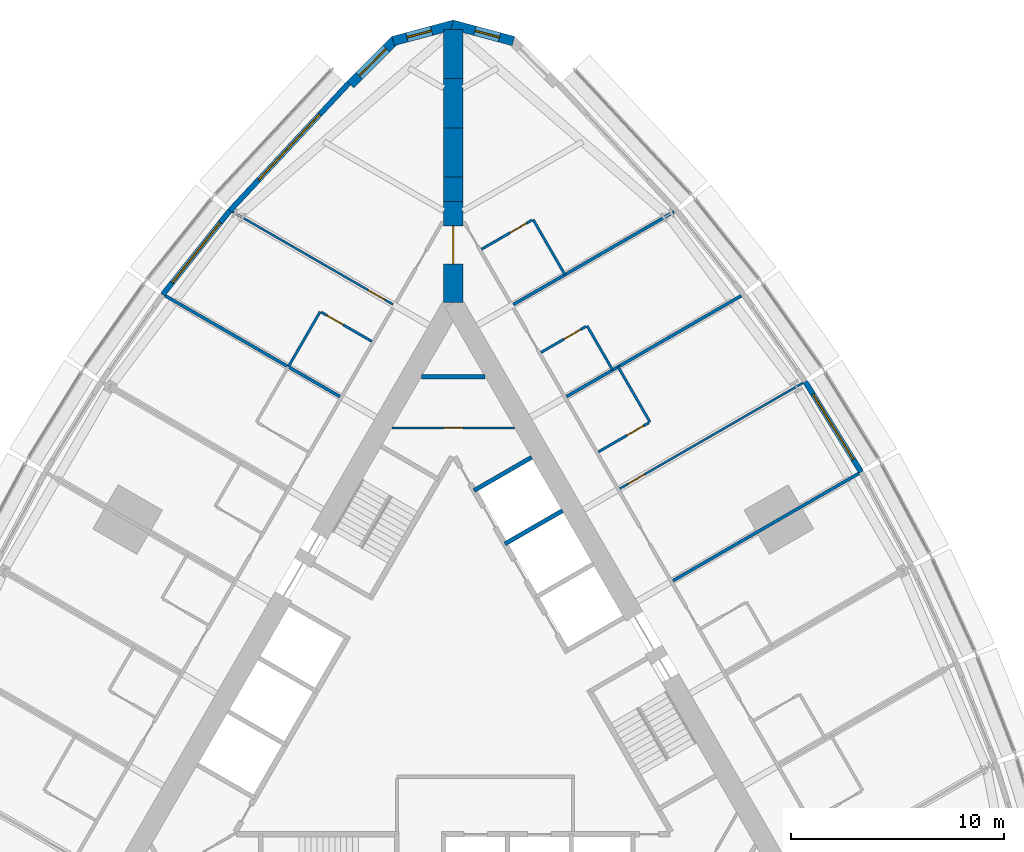
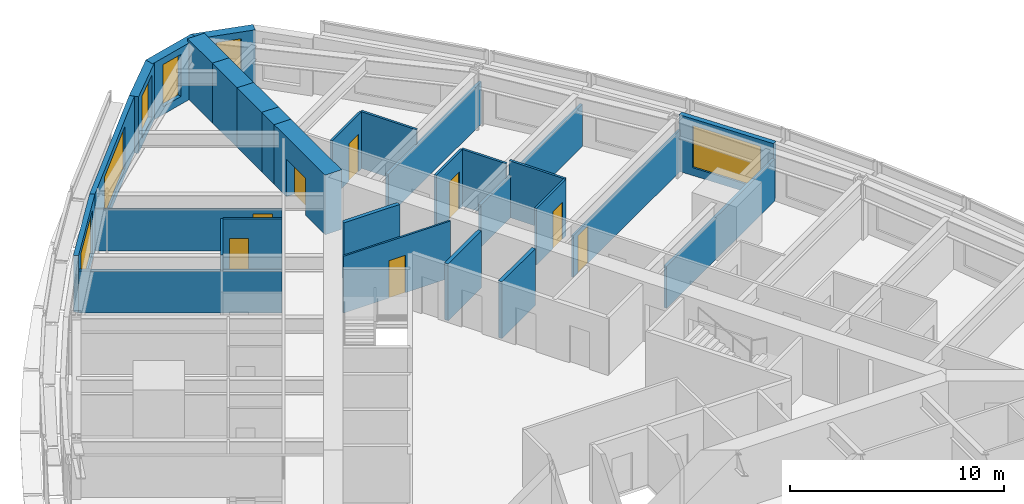
# One storey, part 12 of 14: 29 walls, 8 doors, 6 windows, 14 openings.
"""IFC4 building model written with IfcOpenShell, lengths in metres."""

from ifc_helpers import new_model, si_unit, direction, frame, frame_2d, origin, place, context, subcontext, project, spatial, polyline, rectangle, outline, extrude, material, layer, layer_set, type_object, element, fill, save


model = new_model("IFC4")

# Units and contexts
model_context = context("Model", 3, precision=1e-05, world=origin(), true_north=direction((0.0, 1.0)))
body_context = subcontext(model_context, "Body", "Model", "MODEL_VIEW")
ifc_project = project(units=[si_unit("LENGTHUNIT", "METRE"), si_unit("AREAUNIT", "SQUARE_METRE"), si_unit("VOLUMEUNIT", "CUBIC_METRE"), si_unit("PLANEANGLEUNIT", "RADIAN"), si_unit("MASSUNIT", "GRAM", prefix="KILO")], contexts=[model_context])

# Site, building, storey
site_placement = place(None, origin())
site = spatial("IfcSite", under=ifc_project, at=site_placement, CompositionType="ELEMENT")
building_placement = place(site_placement, origin())
building = spatial("IfcBuilding", under=site, at=building_placement, Name="Trikona Tower", CompositionType="ELEMENT")
storey_placement = place(building_placement, frame((0.0, 0.0, 55.699951171875)))
storey = spatial("IfcBuildingStorey", under=building, at=storey_placement, Name="L13", CompositionType="ELEMENT", Elevation=55.699951171875)

# Wall
ifc_material_1 = material(Name="Metal stud and cement board", Category="gypsum")
ifc_layer_1 = layer(ifc_material_1, 0.1201171875)
ifc_layer_set_1 = layer_set([ifc_layer_1], Name="Bathroom wall 120")
wall_type_1 = type_object("IfcWallType", Name="Bathroom wall 120", PredefinedType="PLUMBINGWALL", material=ifc_layer_set_1)
wall_1_placement = place(storey_placement, frame((9.25341796875, 13.42529296875, 0.0), z_axis=(0.0, 0.0, 1.0), x_axis=(-0.499990139034, 0.866031096941, 0.0)))
element("IfcWall", 1, at=wall_1_placement, inside=storey, type_object=wall_type_1, Name="Bathroom wall 1308.1", PredefinedType="PLUMBINGWALL", context=body_context, shape_type="SweptSolid", body=[
    extrude(rectangle(XDim=3.0, YDim=0.1201171875, at=frame_2d((1.5, 0.0))), origin(), (0.0, 0.0, 1.0), 3.235107421875),
])

# Wall, opening, door
wall_2_placement = place(storey_placement, frame((6.82861328125, 12.025390625, 0.0), z_axis=(0.0, 0.0, 1.0), x_axis=(0.866035715982, 0.499982138324, 0.0)))
wall_2 = element("IfcWall", 2, at=wall_2_placement, inside=storey, type_object=wall_type_1, Name="Bathroom wall 1308.1", PredefinedType="PLUMBINGWALL", context=body_context, shape_type="SweptSolid", body=[
    extrude(rectangle(XDim=2.73974609375, YDim=0.1201171875, at=frame_2d((1.369873046875, 0.0))), origin(), (0.0, 0.0, 1.0), 3.235107421875),
])
opening_1_placement = place(wall_2_placement, frame((1.550048828125, 0.0, 0.0)))
opening_1 = element("IfcOpeningElement", 3, at=opening_1_placement, cuts=wall_2, Name="Opening D2", PredefinedType="OPENING", context=body_context, shape_type="SweptSolid", body=[
    extrude(rectangle(XDim=0.89990234375, YDim=2.1298828125, at=frame_2d((0.449951171875, 1.06494140625))), frame((0.0, 0.070068359375, 0.0), z_axis=(0.0, -1.0, 0.0), x_axis=(1.0, 0.0, 0.0)), (0.0, 0.0, 1.0), 0.14013671875),
])
ifc_material_2 = material(Name="Steel door frame with solid-core timber leaf", Category="steel")
door_type_1 = type_object("IfcDoorType", Name="Bathroom door 900x2130", OperationType="SLIDING_TO_LEFT", PredefinedType="DOOR", material=ifc_material_2)
door_1_placement = place(opening_1_placement, origin())
door_1 = element("IfcDoor", 4, at=door_1_placement, inside=storey, type_object=door_type_1, Name="Bathroom door 1308.1", OperationType="SLIDING_TO_LEFT", OverallHeight=2.1298828125, OverallWidth=0.89990234375, PredefinedType="DOOR", context=body_context, shape_type="SweptSolid", body=[
    extrude(rectangle(XDim=0.89990234375, YDim=2.1298828125, at=frame_2d((0.449951171875, 1.06494140625))), frame((0.0, 0.02490234375, 0.0), z_axis=(0.0, -1.0, 0.0), x_axis=(1.0, 0.0, 0.0)), (0.0, 0.0, 1.0), 0.050048828125),
])
fill(opening_1, door_1)

# Wall
wall_3_placement = place(storey_placement, frame((7.493408203125, 15.873291015625, 0.0), z_axis=(0.0, 0.0, 1.0), x_axis=(-0.499957262057, 0.866050077142, 0.0)))
element("IfcWall", 5, at=wall_3_placement, inside=storey, type_object=wall_type_1, Name="Bathroom wall 1309", PredefinedType="PLUMBINGWALL", context=body_context, shape_type="SweptSolid", body=[
    extrude(rectangle(XDim=2.400146484375, YDim=0.1201171875, at=frame_2d((1.2001953125, 0.0))), origin(), (0.0, 0.0, 1.0), 3.235107421875),
])

# Wall, opening, door
wall_4_placement = place(storey_placement, frame((4.12841796875, 16.701904296875, 0.0), z_axis=(0.0, 0.0, 1.0), x_axis=(0.866048967903, 0.499959183527, 0.0)))
wall_4 = element("IfcWall", 6, at=wall_4_placement, inside=storey, type_object=wall_type_1, Name="Bathroom wall 1309", PredefinedType="PLUMBINGWALL", context=body_context, shape_type="SweptSolid", body=[
    extrude(rectangle(XDim=2.440185546875, YDim=0.1201171875, at=frame_2d((1.22021484375, 0.0))), origin(), (0.0, 0.0, 1.0), 3.235107421875),
])
opening_2_placement = place(wall_4_placement, frame((1.25, 0.0, 0.0)))
opening_2 = element("IfcOpeningElement", 7, at=opening_2_placement, cuts=wall_4, Name="Opening D2", PredefinedType="OPENING", context=body_context, shape_type="SweptSolid", body=[
    extrude(rectangle(XDim=0.89990234375, YDim=2.1298828125, at=frame_2d((0.449951171875, 1.06494140625))), frame((0.0, 0.070068359375, 0.0), z_axis=(0.0, -1.0, 0.0), x_axis=(1.0, 0.0, 0.0)), (0.0, 0.0, 1.0), 0.14013671875),
])
door_2_placement = place(opening_2_placement, origin())
door_2 = element("IfcDoor", 8, at=door_2_placement, inside=storey, type_object=door_type_1, Name="Bathroom door 1309", OperationType="SLIDING_TO_LEFT", OverallHeight=2.1298828125, OverallWidth=0.89990234375, PredefinedType="DOOR", context=body_context, shape_type="SweptSolid", body=[
    extrude(rectangle(XDim=0.89990234375, YDim=2.1298828125, at=frame_2d((0.449951171875, 1.06494140625))), frame((0.0, 0.02490234375, 0.0), z_axis=(0.0, -1.0, 0.0), x_axis=(1.0, 0.0, 0.0)), (0.0, 0.0, 1.0), 0.050048828125),
])
fill(opening_2, door_2)

# Wall
wall_5_placement = place(storey_placement, frame((5.25341796875, 20.353515625, 0.0), z_axis=(0.0, 0.0, 1.0), x_axis=(-0.499990139034, 0.866031096941, 0.0)))
element("IfcWall", 9, at=wall_5_placement, inside=storey, type_object=wall_type_1, Name="Bathroom wall 1310", PredefinedType="PLUMBINGWALL", context=body_context, shape_type="SweptSolid", body=[
    extrude(rectangle(XDim=3.0, YDim=0.1201171875, at=frame_2d((1.5, 0.0))), origin(), (0.0, 0.0, 1.0), 3.235107421875),
])

# Wall, opening, door
wall_6_placement = place(storey_placement, frame((1.32861328125, 21.551513671875, 0.0), z_axis=(0.0, 0.0, 1.0), x_axis=(0.865997131366, 0.500048966069, 0.0)))
wall_6 = element("IfcWall", 10, at=wall_6_placement, inside=storey, type_object=wall_type_1, Name="Bathroom wall 1310", PredefinedType="PLUMBINGWALL", context=body_context, shape_type="SweptSolid", body=[
    extrude(rectangle(XDim=2.739990234375, YDim=0.1201171875, at=frame_2d((1.3701171875, 0.0))), origin(), (0.0, 0.0, 1.0), 3.235107421875),
])
opening_3_placement = place(wall_6_placement, frame((1.550048828125, 0.0, 0.0)))
opening_3 = element("IfcOpeningElement", 11, at=opening_3_placement, cuts=wall_6, Name="Opening D2", PredefinedType="OPENING", context=body_context, shape_type="SweptSolid", body=[
    extrude(rectangle(XDim=0.89990234375, YDim=2.1298828125, at=frame_2d((0.449951171875, 1.06494140625))), frame((0.0, 0.070068359375, 0.0), z_axis=(0.0, -1.0, 0.0), x_axis=(1.0, 0.0, 0.0)), (0.0, 0.0, 1.0), 0.14013671875),
])
door_3_placement = place(opening_3_placement, origin())
door_3 = element("IfcDoor", 12, at=door_3_placement, inside=storey, type_object=door_type_1, Name="Bathroom door 1310", OperationType="SLIDING_TO_LEFT", OverallHeight=2.1298828125, OverallWidth=0.89990234375, PredefinedType="DOOR", context=body_context, shape_type="SweptSolid", body=[
    extrude(rectangle(XDim=0.89990234375, YDim=2.1298828125, at=frame_2d((0.449951171875, 1.06494140625))), frame((0.0, 0.02490234375, 0.0), z_axis=(0.0, -1.0, 0.0), x_axis=(1.0, 0.0, 0.0)), (0.0, 0.0, 1.0), 0.050048828125),
])
fill(opening_3, door_3)

# Wall
wall_7_placement = place(storey_placement, frame((-6.25341796875, 18.62158203125, 0.0), z_axis=(0.0, 0.0, 1.0), x_axis=(-0.499990139034, -0.866031096941, 0.0)))
element("IfcWall", 13, at=wall_7_placement, inside=storey, type_object=wall_type_1, Name="Bathroom wall 1311.1", PredefinedType="PLUMBINGWALL", context=body_context, shape_type="SweptSolid", body=[
    extrude(rectangle(XDim=3.0, YDim=0.1201171875, at=frame_2d((1.5, 0.0))), origin(), (0.0, 0.0, 1.0), 3.235107421875),
])

# Wall, opening, door
wall_8_placement = place(storey_placement, frame((-3.82861328125, 17.221435546875, 0.0), z_axis=(0.0, 0.0, 1.0), x_axis=(-0.865997131366, 0.500048966069, 0.0)))
wall_8 = element("IfcWall", 14, at=wall_8_placement, inside=storey, type_object=wall_type_1, Name="Bathroom wall 1311.1", PredefinedType="PLUMBINGWALL", context=body_context, shape_type="SweptSolid", body=[
    extrude(rectangle(XDim=2.739990234375, YDim=0.1201171875, at=frame_2d((1.3701171875, 0.0))), origin(), (0.0, 0.0, 1.0), 3.235107421875),
])
opening_4_placement = place(wall_8_placement, frame((1.550048828125, 0.0, 0.0)))
opening_4 = element("IfcOpeningElement", 15, at=opening_4_placement, cuts=wall_8, Name="Opening D2", PredefinedType="OPENING", context=body_context, shape_type="SweptSolid", body=[
    extrude(rectangle(XDim=0.89990234375, YDim=2.1298828125, at=frame_2d((0.449951171875, 1.06494140625))), frame((0.0, 0.070068359375, 0.0), z_axis=(0.0, -1.0, 0.0), x_axis=(1.0, 0.0, 0.0)), (0.0, 0.0, 1.0), 0.14013671875),
])
door_4_placement = place(opening_4_placement, origin())
door_4 = element("IfcDoor", 16, at=door_4_placement, inside=storey, type_object=door_type_1, Name="Bathroom door 1311.1", OperationType="SLIDING_TO_LEFT", OverallHeight=2.1298828125, OverallWidth=0.89990234375, PredefinedType="DOOR", context=body_context, shape_type="SweptSolid", body=[
    extrude(rectangle(XDim=0.89990234375, YDim=2.1298828125, at=frame_2d((0.449951171875, 1.06494140625))), frame((0.0, 0.02490234375, 0.0), z_axis=(0.0, -1.0, 0.0), x_axis=(1.0, 0.0, 0.0)), (0.0, 0.0, 1.0), 0.050048828125),
])
fill(opening_4, door_4)

# Wall, opening, window
ifc_material_3 = material(Name="Brick-faced precast concrete", Category="masonry")
ifc_layer_2 = layer(ifc_material_3, 0.449951171875)
ifc_layer_set_2 = layer_set([ifc_layer_2], Name="Brick-faced corner wall 450")
wall_type_2 = type_object("IfcWallType", Name="Brick-faced corner wall 450", PredefinedType="SOLIDWALL", material=ifc_layer_set_2)
wall_9_placement = place(storey_placement, frame((2.82861328125, 31.3408203125, 0.0), z_axis=(0.0, 0.0, 1.0), x_axis=(-0.965930548995, 0.258801419081, 0.0)))
wall_9 = element("IfcWall", 17, at=wall_9_placement, inside=storey, type_object=wall_type_2, Name="External wall L13-21", PredefinedType="SOLIDWALL", context=body_context, shape_type="SweptSolid", body=[
    extrude(outline(polyline([(2.988525390625, 0.22509765625), (2.92919921875, 0.22509765625), (2.4375, 0.09326171875), (2.40234375, 0.22509765625), (0.0, 0.22509765625), (0.0, -0.22509765625), (2.988525390625, -0.22509765625), (2.988525390625, 0.22509765625)])), origin(), (0.0, 0.0, 1.0), 3.235107421875),
])
opening_5_placement = place(wall_9_placement, frame((0.676025390625, 0.0, 0.449951171875)))
opening_5 = element("IfcOpeningElement", 18, at=opening_5_placement, cuts=wall_9, Name="Opening W1224", PredefinedType="OPENING", context=body_context, shape_type="SweptSolid", body=[
    extrude(rectangle(XDim=1.199951171875, YDim=2.39990234375, at=frame_2d((0.60009765625, 1.199951171875))), frame((0.0, 0.23486328125, 0.0), z_axis=(0.0, -1.0, 0.0), x_axis=(1.0, 0.0, 0.0)), (0.0, 0.0, 1.0), 0.469970703125),
])
ifc_material_4 = material(Name="Aluminium-framed double glazing", Category="aluminium")
window_type_1 = type_object("IfcWindowType", Name="Window 1200x2400", PartitioningType="SINGLE_PANEL", PredefinedType="WINDOW", material=ifc_material_4)
window_1_placement = place(opening_5_placement, origin())
window_1 = element("IfcWindow", 19, at=window_1_placement, inside=storey, type_object=window_type_1, Name="Window 1310", OverallHeight=2.39990234375, OverallWidth=1.199951171875, PartitioningType="SINGLE_PANEL", PredefinedType="WINDOW", context=body_context, shape_type="SweptSolid", body=[
    extrude(rectangle(XDim=1.199951171875, YDim=2.39990234375, at=frame_2d((0.60009765625, 1.199951171875))), frame((0.0, 0.030029296875, 0.0), z_axis=(0.0, -1.0, 0.0), x_axis=(1.0, 0.0, 0.0)), (0.0, 0.0, 1.0), 0.06005859375),
])
fill(opening_5, window_1)

wall_10_placement = place(storey_placement, frame((0.05810546875, 32.1142578125, 0.0), z_axis=(0.0, 0.0, 1.0), x_axis=(-0.965930548995, -0.258801419081, 0.0)))
wall_10 = element("IfcWall", 20, at=wall_10_placement, inside=storey, type_object=wall_type_2, Name="External wall L13-22", PredefinedType="SOLIDWALL", context=body_context, shape_type="SweptSolid", body=[
    extrude(outline(polyline([(2.988525390625, 0.22509765625), (0.58642578125, 0.22509765625), (0.551025390625, 0.09326171875), (0.059326171875, 0.22509765625), (0.0, 0.22509765625), (0.0, -0.22509765625), (2.988525390625, -0.22509765625), (2.988525390625, 0.22509765625)])), origin(), (0.0, 0.0, 1.0), 3.235107421875),
])
opening_6_placement = place(wall_10_placement, frame((1.112548828125, 0.0, 0.449951171875)))
opening_6 = element("IfcOpeningElement", 21, at=opening_6_placement, cuts=wall_10, Name="Opening W1224", PredefinedType="OPENING", context=body_context, shape_type="SweptSolid", body=[
    extrude(rectangle(XDim=1.199951171875, YDim=2.39990234375, at=frame_2d((0.60009765625, 1.199951171875))), frame((0.0, 0.23486328125, 0.0), z_axis=(0.0, -1.0, 0.0), x_axis=(1.0, 0.0, 0.0)), (0.0, 0.0, 1.0), 0.469970703125),
])
window_2_placement = place(opening_6_placement, origin())
window_2 = element("IfcWindow", 22, at=window_2_placement, inside=storey, type_object=window_type_1, Name="Window 1311", OverallHeight=2.39990234375, OverallWidth=1.199951171875, PartitioningType="SINGLE_PANEL", PredefinedType="WINDOW", context=body_context, shape_type="SweptSolid", body=[
    extrude(rectangle(XDim=1.199951171875, YDim=2.39990234375, at=frame_2d((0.60009765625, 1.199951171875))), frame((0.0, 0.030029296875, 0.0), z_axis=(0.0, -1.0, 0.0), x_axis=(1.0, 0.0, 0.0)), (0.0, 0.0, 1.0), 0.06005859375),
])
fill(opening_6, window_2)

wall_11_placement = place(storey_placement, frame((-2.727783203125, 31.39892578125, 0.0), z_axis=(0.0, 0.0, 1.0), x_axis=(-0.707106781187, -0.707106781187, 0.0)))
wall_11 = element("IfcWall", 23, at=wall_11_placement, inside=storey, type_object=wall_type_2, Name="External wall L13-23", PredefinedType="SOLIDWALL", context=body_context, shape_type="SweptSolid", body=[
    extrude(rectangle(XDim=2.98828125, YDim=0.449951171875, at=frame_2d((1.494140625, 0.0))), origin(), (0.0, 0.0, 1.0), 3.235107421875),
])
opening_7_placement = place(wall_11_placement, frame((0.59423828125, 0.0, 0.449951171875)))
opening_7 = element("IfcOpeningElement", 24, at=opening_7_placement, cuts=wall_11, Name="Opening W1824", PredefinedType="OPENING", context=body_context, shape_type="SweptSolid", body=[
    extrude(rectangle(XDim=1.800048828125, YDim=2.39990234375, at=frame_2d((0.89990234375, 1.199951171875))), frame((0.0, 0.23486328125, 0.0), z_axis=(0.0, -1.0, 0.0), x_axis=(1.0, 0.0, 0.0)), (0.0, 0.0, 1.0), 0.469970703125),
])
ifc_material_5 = material(Name="Aluminium-framed double glazing", Category="aluminium")
window_type_2 = type_object("IfcWindowType", Name="Window 1800x2400", PartitioningType="SINGLE_PANEL", PredefinedType="WINDOW", material=ifc_material_5)
window_3_placement = place(opening_7_placement, origin())
window_3 = element("IfcWindow", 25, at=window_3_placement, inside=storey, type_object=window_type_2, Name="Window 1311", OverallHeight=2.39990234375, OverallWidth=1.800048828125, PartitioningType="SINGLE_PANEL", PredefinedType="WINDOW", context=body_context, shape_type="SweptSolid", body=[
    extrude(rectangle(XDim=1.800048828125, YDim=2.39990234375, at=frame_2d((0.89990234375, 1.199951171875))), frame((0.0, 0.030029296875, 0.0), z_axis=(0.0, -1.0, 0.0), x_axis=(1.0, 0.0, 0.0)), (0.0, 0.0, 1.0), 0.06005859375),
])
fill(opening_7, window_3)

# Wall, opening, door
ifc_material_6 = material(Name="Concrete f'c 10000 psi", Category="concrete")
ifc_layer_3 = layer(ifc_material_6, 0.89990234375)
ifc_layer_set_3 = layer_set([ifc_layer_3], Name="Buttress wall 900")
wall_type_3 = type_object("IfcWallType", Name="Buttress wall 900", PredefinedType="SHEAR", material=ifc_layer_set_3)
wall_12_placement = place(storey_placement, frame((0.0, 19.052490234375, 0.0), z_axis=(0.0, 0.0, 1.0), x_axis=(0.0, 1.0, 0.0)))
wall_12 = element("IfcWall", 26, at=wall_12_placement, inside=storey, type_object=wall_type_3, Name="Buttress wall 2", PredefinedType="SHEAR", context=body_context, shape_type="SweptSolid", body=[
    extrude(rectangle(XDim=4.74609375, YDim=0.89990234375, at=frame_2d((2.373046875, 0.0))), origin(), (0.0, 0.0, 1.0), 3.400146484375),
])
opening_8_placement = place(wall_12_placement, frame((1.800048828125, 0.0, 0.0)))
opening_8 = element("IfcOpeningElement", 27, at=opening_8_placement, cuts=wall_12, Name="Opening D10", PredefinedType="OPENING", context=body_context, shape_type="SweptSolid", body=[
    extrude(rectangle(XDim=1.800048828125, YDim=2.1298828125, at=frame_2d((0.89990234375, 1.06494140625))), frame((0.0, 0.4599609375, 0.0), z_axis=(0.0, -1.0, 0.0), x_axis=(1.0, 0.0, 0.0)), (0.0, 0.0, 1.0), 0.919921875),
])
ifc_material_7 = material(Name="Hollow metal door and frame", Category="steel")
door_type_2 = type_object("IfcDoorType", Name="Cross-corridor door pair 1800x2130", OperationType="DOUBLE_DOOR_DOUBLE_SWING", PredefinedType="DOOR", material=ifc_material_7)
door_5_placement = place(opening_8_placement, origin())
door_5 = element("IfcDoor", 28, at=door_5_placement, inside=storey, type_object=door_type_2, Name="Cross-corridor door 2", OperationType="DOUBLE_DOOR_DOUBLE_SWING", OverallHeight=2.1298828125, OverallWidth=1.800048828125, PredefinedType="DOOR", context=body_context, shape_type="SweptSolid", body=[
    extrude(rectangle(XDim=1.800048828125, YDim=2.1298828125, at=frame_2d((0.89990234375, 1.06494140625))), frame((0.0, 0.02490234375, 0.0), z_axis=(0.0, -1.0, 0.0), x_axis=(1.0, 0.0, 0.0)), (0.0, 0.0, 1.0), 0.050048828125),
])
fill(opening_8, door_5)

# Walls
wall_13_placement = place(storey_placement, frame((0.0, 23.798583984375, 0.0), z_axis=(0.0, 0.0, 1.0), x_axis=(0.0, 1.0, 0.0)))
element("IfcWall", 29, at=wall_13_placement, inside=storey, type_object=wall_type_3, Name="Buttress wall 2 part 2", PredefinedType="SHEAR", context=body_context, shape_type="SweptSolid", body=[
    extrude(rectangle(XDim=1.15478515625, YDim=0.89990234375, at=frame_2d((0.577392578125, 0.0))), origin(), (0.0, 0.0, 1.0), 3.400146484375),
])
wall_14_placement = place(storey_placement, frame((0.0, 24.953369140625, 0.0), z_axis=(0.0, 0.0, 1.0), x_axis=(0.0, 1.0, 0.0)))
element("IfcWall", 30, at=wall_14_placement, inside=storey, type_object=wall_type_3, Name="Buttress wall 2 part 3", PredefinedType="SHEAR", context=body_context, shape_type="SweptSolid", body=[
    extrude(rectangle(XDim=2.309326171875, YDim=0.89990234375, at=frame_2d((1.15478515625, 0.0))), origin(), (0.0, 0.0, 1.0), 3.400146484375),
])
wall_15_placement = place(storey_placement, frame((0.0, 27.2626953125, 0.0), z_axis=(0.0, 0.0, 1.0), x_axis=(0.0, 1.0, 0.0)))
element("IfcWall", 31, at=wall_15_placement, inside=storey, type_object=wall_type_3, Name="Buttress wall 2 part 4", PredefinedType="SHEAR", context=body_context, shape_type="SweptSolid", body=[
    extrude(rectangle(XDim=2.3095703125, YDim=0.89990234375, at=frame_2d((1.15478515625, 0.0))), origin(), (0.0, 0.0, 1.0), 3.400146484375),
])
wall_16_placement = place(storey_placement, frame((0.0, 29.572265625, 0.0), z_axis=(0.0, 0.0, 1.0), x_axis=(0.0, 1.0, 0.0)))
element("IfcWall", 32, at=wall_16_placement, inside=storey, type_object=wall_type_3, Name="Buttress wall 2 part 5", PredefinedType="SHEAR", context=body_context, shape_type="SweptSolid", body=[
    extrude(rectangle(XDim=2.309326171875, YDim=0.89990234375, at=frame_2d((1.15478515625, 0.0))), origin(), (0.0, 0.0, 1.0), 3.400146484375),
])

# Wall, opening, window
ifc_material_8 = material(Name="Insulated precast concrete spandrel panel", Category="concrete")
ifc_layer_4 = layer(ifc_material_8, 0.25)
ifc_layer_set_4 = layer_set([ifc_layer_4], Name="Inner skin wall 250")
wall_type_4 = type_object("IfcWallType", Name="Inner skin wall 250", PredefinedType="STANDARD", material=ifc_layer_set_4)
wall_17_placement = place(storey_placement, frame((19.182373046875, 11.070556640625, 0.0), z_axis=(0.0, 0.0, 1.0), x_axis=(-0.526132807704, 0.850402415717, 0.0)))
wall_17 = element("IfcWall", 33, at=wall_17_placement, inside=storey, type_object=wall_type_4, Name="External wall L13-16", PredefinedType="STANDARD", context=body_context, shape_type="SweptSolid", body=[
    extrude(rectangle(XDim=5.002197265625, YDim=0.25, at=frame_2d((2.5009765625, 0.0))), origin(), (0.0, 0.0, 1.0), 3.235107421875),
])
opening_9_placement = place(wall_17_placement, frame((0.701171875, 0.0, 0.449951171875)))
opening_9 = element("IfcOpeningElement", 34, at=opening_9_placement, cuts=wall_17, Name="Opening W3624", PredefinedType="OPENING", context=body_context, shape_type="SweptSolid", body=[
    extrude(rectangle(XDim=3.60009765625, YDim=2.39990234375, at=frame_2d((1.800048828125, 1.199951171875))), frame((0.0, 0.135009765625, 0.0), z_axis=(0.0, -1.0, 0.0), x_axis=(1.0, 0.0, 0.0)), (0.0, 0.0, 1.0), 0.27001953125),
])
ifc_material_9 = material(Name="Aluminium-framed double glazing", Category="aluminium")
window_type_3 = type_object("IfcWindowType", Name="Window 3600x2400", PartitioningType="SINGLE_PANEL", PredefinedType="WINDOW", material=ifc_material_9)
window_4_placement = place(opening_9_placement, origin())
window_4 = element("IfcWindow", 35, at=window_4_placement, inside=storey, type_object=window_type_3, Name="Window 1308", OverallHeight=2.39990234375, OverallWidth=3.60009765625, PartitioningType="SINGLE_PANEL", PredefinedType="WINDOW", context=body_context, shape_type="SweptSolid", body=[
    extrude(rectangle(XDim=3.60009765625, YDim=2.39990234375, at=frame_2d((1.800048828125, 1.199951171875))), frame((0.0, 0.030029296875, 0.0), z_axis=(0.0, -1.0, 0.0), x_axis=(1.0, 0.0, 0.0)), (0.0, 0.0, 1.0), 0.06005859375),
])
fill(opening_9, window_4)

wall_18_placement = place(storey_placement, frame((-4.90869140625, 29.359619140625, 0.0), z_axis=(0.0, 0.0, 1.0), x_axis=(-0.682289646561, -0.731081964075, 0.0)))
wall_18 = element("IfcWall", 36, at=wall_18_placement, inside=storey, type_object=wall_type_4, Name="External wall L13-24", PredefinedType="STANDARD", context=body_context, shape_type="SweptSolid", body=[
    extrude(rectangle(XDim=8.2109375, YDim=0.25, at=frame_2d((4.10546875, 0.0))), origin(), (0.0, 0.0, 1.0), 3.235107421875),
])
opening_10_placement = place(wall_18_placement, frame((2.005615234375, 0.0, 0.449951171875)))
opening_10 = element("IfcOpeningElement", 37, at=opening_10_placement, cuts=wall_18, Name="Opening W4224", PredefinedType="OPENING", context=body_context, shape_type="SweptSolid", body=[
    extrude(rectangle(XDim=4.199951171875, YDim=2.39990234375, at=frame_2d((2.10009765625, 1.199951171875))), frame((0.0, 0.135009765625, 0.0), z_axis=(0.0, -1.0, 0.0), x_axis=(1.0, 0.0, 0.0)), (0.0, 0.0, 1.0), 0.27001953125),
])
ifc_material_10 = material(Name="Aluminium-framed double glazing", Category="aluminium")
window_type_4 = type_object("IfcWindowType", Name="Window 4200x2400", PartitioningType="SINGLE_PANEL", PredefinedType="WINDOW", material=ifc_material_10)
window_5_placement = place(opening_10_placement, origin())
window_5 = element("IfcWindow", 38, at=window_5_placement, inside=storey, type_object=window_type_4, Name="Window 1311", OverallHeight=2.39990234375, OverallWidth=4.199951171875, PartitioningType="SINGLE_PANEL", PredefinedType="WINDOW", context=body_context, shape_type="SweptSolid", body=[
    extrude(rectangle(XDim=4.199951171875, YDim=2.39990234375, at=frame_2d((2.10009765625, 1.199951171875))), frame((0.0, 0.030029296875, 0.0), z_axis=(0.0, -1.0, 0.0), x_axis=(1.0, 0.0, 0.0)), (0.0, 0.0, 1.0), 0.06005859375),
])
fill(opening_10, window_5)

wall_19_placement = place(storey_placement, frame((-10.5048828125, 23.36376953125, 0.0), z_axis=(0.0, 0.0, 1.0), x_axis=(-0.624594965756, -0.780948864364, 0.0)))
wall_19 = element("IfcWall", 39, at=wall_19_placement, inside=storey, type_object=wall_type_4, Name="External wall L13-25", PredefinedType="STANDARD", context=body_context, shape_type="SweptSolid", body=[
    extrude(rectangle(XDim=5.0576171875, YDim=0.25, at=frame_2d((2.52880859375, 0.0))), origin(), (0.0, 0.0, 1.0), 3.235107421875),
])
opening_11_placement = place(wall_19_placement, frame((0.728759765625, 0.0, 0.449951171875)))
opening_11 = element("IfcOpeningElement", 40, at=opening_11_placement, cuts=wall_19, Name="Opening W3624", PredefinedType="OPENING", context=body_context, shape_type="SweptSolid", body=[
    extrude(rectangle(XDim=3.60009765625, YDim=2.39990234375, at=frame_2d((1.800048828125, 1.199951171875))), frame((0.0, 0.135009765625, 0.0), z_axis=(0.0, -1.0, 0.0), x_axis=(1.0, 0.0, 0.0)), (0.0, 0.0, 1.0), 0.27001953125),
])
window_6_placement = place(opening_11_placement, origin())
window_6 = element("IfcWindow", 41, at=window_6_placement, inside=storey, type_object=window_type_3, Name="Window 1311.1", OverallHeight=2.39990234375, OverallWidth=3.60009765625, PartitioningType="SINGLE_PANEL", PredefinedType="WINDOW", context=body_context, shape_type="SweptSolid", body=[
    extrude(rectangle(XDim=3.60009765625, YDim=2.39990234375, at=frame_2d((1.800048828125, 1.199951171875))), frame((0.0, 0.030029296875, 0.0), z_axis=(0.0, -1.0, 0.0), x_axis=(1.0, 0.0, 0.0)), (0.0, 0.0, 1.0), 0.06005859375),
])
fill(opening_11, window_6)

# Walls
ifc_material_11 = material(Name="Metal stud and gypsum board, 1-hour acoustic", Category="gypsum")
ifc_layer_5 = layer(ifc_material_11, 0.14990234375)
ifc_layer_set_5 = layer_set([ifc_layer_5], Name="Party wall 150")
wall_type_5 = type_object("IfcWallType", Name="Party wall 150", PredefinedType="PARTITIONING", material=ifc_layer_set_5)
wall_20_placement = place(storey_placement, frame((10.32861328125, 5.963134765625, 0.0), z_axis=(0.0, 0.0, 1.0), x_axis=(0.866021688545, 0.500006434927, 0.0)))
element("IfcWall", 42, at=wall_20_placement, inside=storey, type_object=wall_type_5, Name="Partition L13 F2 u0", PredefinedType="PARTITIONING", context=body_context, shape_type="SweptSolid", body=[
    extrude(rectangle(XDim=10.095947265625, YDim=0.14990234375, at=frame_2d((5.0478515625, 0.0))), origin(), (0.0, 0.0, 1.0), 2.38916015625),
])
wall_21_placement = place(storey_placement, frame((5.32861328125, 14.623291015625, 0.0), z_axis=(0.0, 0.0, 1.0), x_axis=(0.866018409083, 0.500012114982, 0.0)))
element("IfcWall", 43, at=wall_21_placement, inside=storey, type_object=wall_type_5, Name="Partition L13 F2 u10", PredefinedType="PARTITIONING", context=body_context, shape_type="SweptSolid", body=[
    extrude(rectangle(XDim=9.484619140625, YDim=0.14990234375, at=frame_2d((4.7421875, 0.0))), origin(), (0.0, 0.0, 1.0), 2.38916015625),
])
wall_22_placement = place(storey_placement, frame((2.82861328125, 18.95361328125, 0.0), z_axis=(0.0, 0.0, 1.0), x_axis=(0.866020536561, 0.500008430184, 0.0)))
element("IfcWall", 44, at=wall_22_placement, inside=storey, type_object=wall_type_5, Name="Partition L13 F2 u15", PredefinedType="PARTITIONING", context=body_context, shape_type="SweptSolid", body=[
    extrude(rectangle(XDim=8.719970703125, YDim=0.14990234375, at=frame_2d((4.35986328125, 0.0))), origin(), (0.0, 0.0, 1.0), 2.38916015625),
])
wall_23_placement = place(storey_placement, frame((-5.32861328125, 14.623291015625, 0.0), z_axis=(0.0, 0.0, 1.0), x_axis=(-0.866018409083, 0.500012114982, 0.0)))
element("IfcWall", 45, at=wall_23_placement, inside=storey, type_object=wall_type_5, Name="Partition L13 F3 u-10", PredefinedType="PARTITIONING", context=body_context, shape_type="SweptSolid", body=[
    extrude(rectangle(XDim=9.484619140625, YDim=0.14990234375, at=frame_2d((4.7421875, 0.0))), origin(), (0.0, 0.0, 1.0), 2.38916015625),
])
ifc_material_12 = material(Name="Concrete f'c 8000 psi", Category="concrete")
ifc_layer_6 = layer(ifc_material_12, 0.199951171875)
ifc_layer_set_6 = layer_set([ifc_layer_6], Name="Shaft wall 200")
wall_type_6 = type_object("IfcWallType", Name="Shaft wall 200", PredefinedType="SOLIDWALL", material=ifc_layer_set_6)
for number, where, z_axis, x_axis, name in (
    (46, (2.428955078125, 7.695556640625, 0.0), (0.0, 0.0, 1.0), (0.866022959057, 0.500004234368, 0.0), "Shaft wall B5"),
    (47, (0.97900390625, 10.20703125, 0.0), (0.0, 0.0, 1.0), (0.866022959057, 0.500004234368, 0.0), "Shaft wall B6"),
):
    element("IfcWall", number, at=place(storey_placement, frame(where, z_axis=z_axis, x_axis=x_axis)), inside=storey, type_object=wall_type_6, Name=name, PredefinedType="SOLIDWALL", context=body_context, shape_type="SweptSolid", body=[
        extrude(rectangle(XDim=3.125, YDim=0.199951171875, at=frame_2d((1.5625, 0.0))), origin(), (0.0, 0.0, 1.0), 3.235107421875),
    ])
wall_24_placement = place(storey_placement, frame((-1.501220703125, 15.552490234375, 0.0), z_axis=(0.0, 0.0, 1.0), x_axis=(1.0, 0.0, 0.0)))
element("IfcWall", 48, at=wall_24_placement, inside=storey, type_object=wall_type_6, Name="Riser wall L13-RS2", PredefinedType="SOLIDWALL", context=body_context, shape_type="SweptSolid", body=[
    extrude(rectangle(XDim=3.00244140625, YDim=0.199951171875, at=frame_2d((1.501220703125, 0.0))), origin(), (0.0, 0.0, 1.0), 3.235107421875),
])

# Wall, opening, door
ifc_material_13 = material(Name="Metal stud and gypsum board, acoustic", Category="gypsum")
ifc_layer_7 = layer(ifc_material_13, 0.10009765625)
ifc_layer_set_7 = layer_set([ifc_layer_7], Name="Suite partition 100")
wall_type_7 = type_object("IfcWallType", Name="Suite partition 100", PredefinedType="PARTITIONING", material=ifc_layer_set_7)
wall_25_placement = place(storey_placement, frame((7.82861328125, 10.293212890625, 0.0), z_axis=(0.0, 0.0, 1.0), x_axis=(0.866016302457, 0.50001576363, 0.0)))
wall_25 = element("IfcWall", 49, at=wall_25_placement, inside=storey, type_object=wall_type_7, Name="Suite partition L13 F2 u5", PredefinedType="PARTITIONING", context=body_context, shape_type="SweptSolid", body=[
    extrude(rectangle(XDim=9.943115234375, YDim=0.10009765625, at=frame_2d((4.9716796875, 0.0))), origin(), (0.0, 0.0, 1.0), 2.38916015625),
])
opening_12_placement = place(wall_25_placement, frame((0.449951171875, 0.0, 0.0)))
opening_12 = element("IfcOpeningElement", 50, at=opening_12_placement, cuts=wall_25, Name="Opening D13", PredefinedType="OPENING", context=body_context, shape_type="SweptSolid", body=[
    extrude(rectangle(XDim=0.89990234375, YDim=2.1298828125, at=frame_2d((0.449951171875, 1.06494140625))), frame((0.0, 0.06005859375, 0.0), z_axis=(0.0, -1.0, 0.0), x_axis=(1.0, 0.0, 0.0)), (0.0, 0.0, 1.0), 0.1201171875),
])
ifc_material_14 = material(Name="Steel door frame with solid-core timber leaf", Category="steel")
door_type_3 = type_object("IfcDoorType", Name="Suite door 900x2130", OperationType="SINGLE_SWING_LEFT", PredefinedType="DOOR", material=ifc_material_14)
door_6_placement = place(opening_12_placement, origin())
door_6 = element("IfcDoor", 51, at=door_6_placement, inside=storey, type_object=door_type_3, Name="Suite door 1308", OperationType="SINGLE_SWING_LEFT", OverallHeight=2.1298828125, OverallWidth=0.89990234375, PredefinedType="DOOR", context=body_context, shape_type="SweptSolid", body=[
    extrude(rectangle(XDim=0.89990234375, YDim=2.1298828125, at=frame_2d((0.449951171875, 1.06494140625))), frame((0.0, 0.02490234375, 0.0), z_axis=(0.0, -1.0, 0.0), x_axis=(1.0, 0.0, 0.0)), (0.0, 0.0, 1.0), 0.050048828125),
])
fill(opening_12, door_6)

wall_26_placement = place(storey_placement, frame((-2.82861328125, 18.95361328125, 0.0), z_axis=(0.0, 0.0, 1.0), x_axis=(-0.866020536561, 0.500008430184, 0.0)))
wall_26 = element("IfcWall", 52, at=wall_26_placement, inside=storey, type_object=wall_type_7, Name="Suite partition L13 F3 u-15", PredefinedType="PARTITIONING", context=body_context, shape_type="SweptSolid", body=[
    extrude(rectangle(XDim=8.719970703125, YDim=0.10009765625, at=frame_2d((4.35986328125, 0.0))), origin(), (0.0, 0.0, 1.0), 2.38916015625),
])
opening_13_placement = place(wall_26_placement, frame((0.449951171875, 0.0, 0.0)))
opening_13 = element("IfcOpeningElement", 53, at=opening_13_placement, cuts=wall_26, Name="Opening D13", PredefinedType="OPENING", context=body_context, shape_type="SweptSolid", body=[
    extrude(rectangle(XDim=0.89990234375, YDim=2.1298828125, at=frame_2d((0.449951171875, 1.06494140625))), frame((0.0, 0.06005859375, 0.0), z_axis=(0.0, -1.0, 0.0), x_axis=(1.0, 0.0, 0.0)), (0.0, 0.0, 1.0), 0.1201171875),
])
door_7_placement = place(opening_13_placement, origin())
door_7 = element("IfcDoor", 54, at=door_7_placement, inside=storey, type_object=door_type_3, Name="Suite door 1311", OperationType="SINGLE_SWING_LEFT", OverallHeight=2.1298828125, OverallWidth=0.89990234375, PredefinedType="DOOR", context=body_context, shape_type="SweptSolid", body=[
    extrude(rectangle(XDim=0.89990234375, YDim=2.1298828125, at=frame_2d((0.449951171875, 1.06494140625))), frame((0.0, 0.02490234375, 0.0), z_axis=(0.0, -1.0, 0.0), x_axis=(1.0, 0.0, 0.0)), (0.0, 0.0, 1.0), 0.050048828125),
])
fill(opening_13, door_7)

wall_27_placement = place(storey_placement, frame((-2.88671875, 13.152587890625, 0.0), z_axis=(0.0, 0.0, 1.0), x_axis=(1.0, 0.0, 0.0)))
wall_27 = element("IfcWall", 55, at=wall_27_placement, inside=storey, type_object=wall_type_7, Name="Store partition L13-RS2", PredefinedType="PARTITIONING", context=body_context, shape_type="SweptSolid", body=[
    extrude(rectangle(XDim=5.7734375, YDim=0.10009765625, at=frame_2d((2.88671875, 0.0))), origin(), (0.0, 0.0, 1.0), 3.235107421875),
])
opening_14_placement = place(wall_27_placement, frame((2.436767578125, 0.0, 0.0)))
opening_14 = element("IfcOpeningElement", 56, at=opening_14_placement, cuts=wall_27, Name="Opening D15", PredefinedType="OPENING", context=body_context, shape_type="SweptSolid", body=[
    extrude(rectangle(XDim=0.89990234375, YDim=2.1298828125, at=frame_2d((0.449951171875, 1.06494140625))), frame((0.0, 0.06005859375, 0.0), z_axis=(0.0, -1.0, 0.0), x_axis=(1.0, 0.0, 0.0)), (0.0, 0.0, 1.0), 0.1201171875),
])
ifc_material_15 = material(Name="Steel door frame with solid-core timber leaf", Category="steel")
door_type_4 = type_object("IfcDoorType", Name="Store door 900x2130", OperationType="SINGLE_SWING_LEFT", PredefinedType="DOOR", material=ifc_material_15)
door_8_placement = place(opening_14_placement, origin())
door_8 = element("IfcDoor", 57, at=door_8_placement, inside=storey, type_object=door_type_4, Name="Door Storage STO", OperationType="SINGLE_SWING_RIGHT", OverallHeight=2.1298828125, OverallWidth=0.89990234375, PredefinedType="DOOR", context=body_context, shape_type="SweptSolid", body=[
    extrude(rectangle(XDim=0.89990234375, YDim=2.1298828125, at=frame_2d((0.449951171875, 1.06494140625))), frame((0.0, 0.02490234375, 0.0), z_axis=(0.0, -1.0, 0.0), x_axis=(1.0, 0.0, 0.0)), (0.0, 0.0, 1.0), 0.050048828125),
])
fill(opening_14, door_8)

save(model, "model.ifc")
